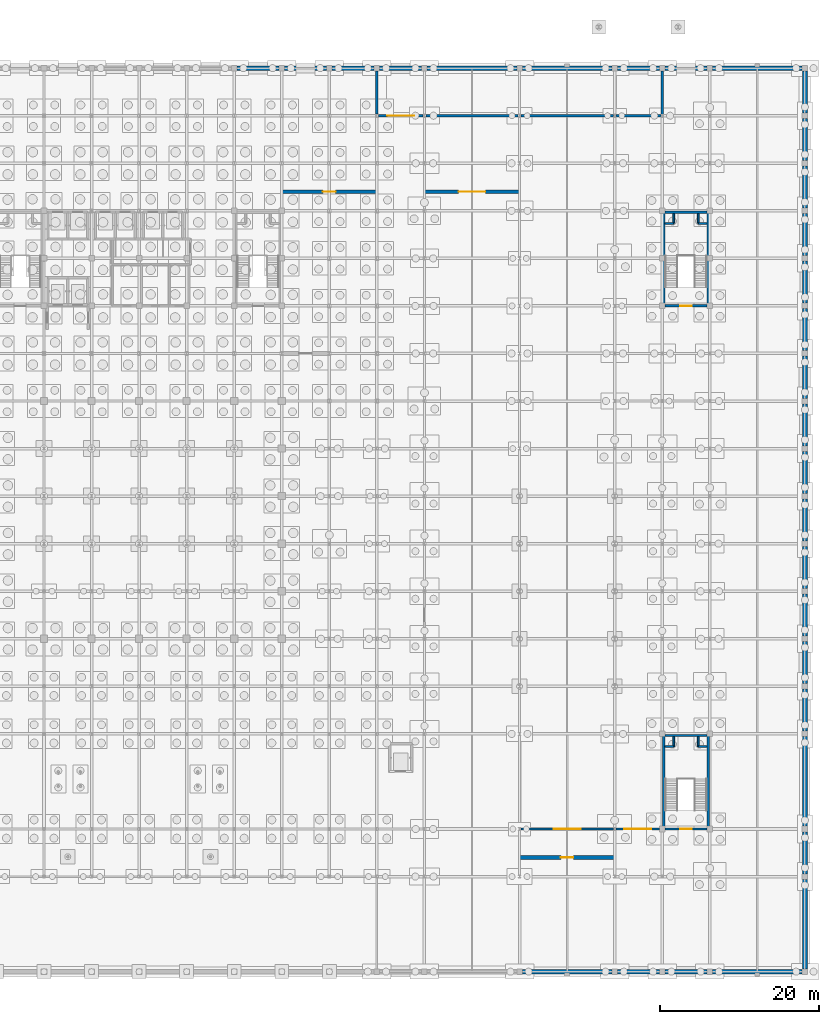
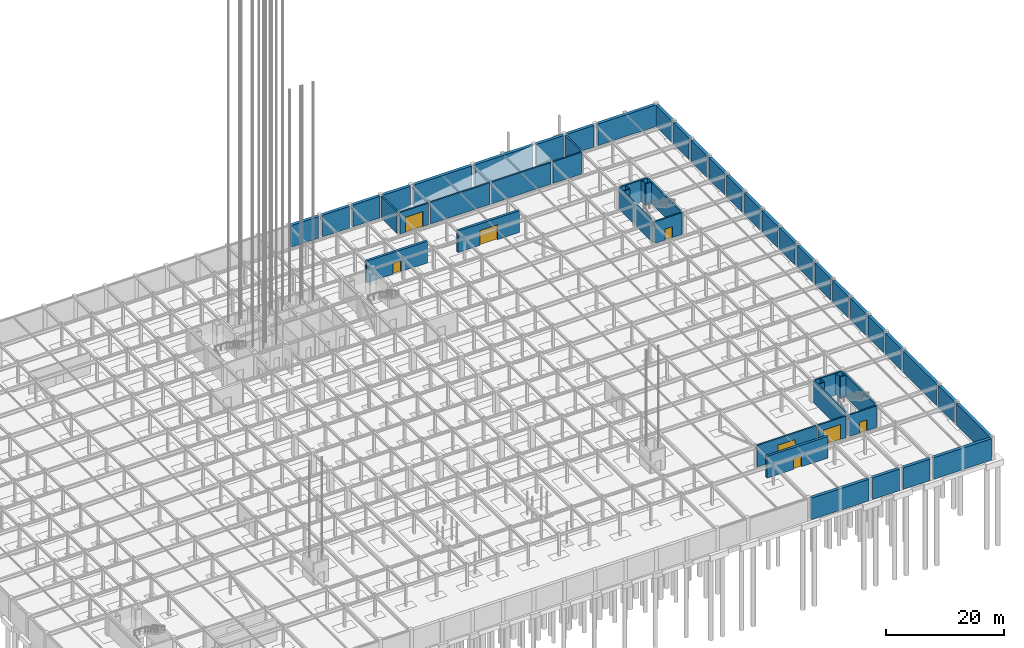
# One storey, part 48 of 69: 57 walls, 8 doors, 8 openings.
"""IFC4 building model written with IfcOpenShell, lengths in metres."""

from ifc_helpers import new_model, si_unit, direction, frame, frame_2d, origin, place, context, subcontext, project, spatial, rectangle, extrude, material, layer, layer_set, type_object, element, fill, save


model = new_model("IFC4")

# Units and contexts
model_context = context("Model", 3, precision=1e-05, world=origin(), true_north=direction((0.0, 1.0)))
body_context = subcontext(model_context, "Body", "Model", "MODEL_VIEW")
ifc_project = project(units=[si_unit("LENGTHUNIT", "METRE"), si_unit("AREAUNIT", "SQUARE_METRE"), si_unit("VOLUMEUNIT", "CUBIC_METRE"), si_unit("PLANEANGLEUNIT", "RADIAN"), si_unit("MASSUNIT", "GRAM", prefix="KILO")], contexts=[model_context])

# Site, building, storey
site_placement = place(None, origin())
site = spatial("IfcSite", under=ifc_project, at=site_placement, CompositionType="ELEMENT")
building_placement = place(site_placement, origin())
building = spatial("IfcBuilding", under=site, at=building_placement, Name="Zlatovratsky Civic Hall", CompositionType="ELEMENT")
storey_placement = place(building_placement, frame((0.0, 0.0, -4.800048828125)))
storey = spatial("IfcBuildingStorey", under=building, at=storey_placement, Name="B1", CompositionType="ELEMENT", Elevation=-4.800048828125)

# Wall, opening, door
ifc_material_1 = material(Name="Concrete C35/45 (B40)", Category="concrete")
ifc_layer_1 = layer(ifc_material_1, 0.47998046875)
ifc_layer_set_1 = layer_set([ifc_layer_1], Name="Concrete C35/45 (B40)")
wall_type_1 = type_object("IfcWallType", Name="Wall_LowerCoreShear_480", PredefinedType="SHEAR", material=ifc_layer_set_1)
wall_1_placement = place(storey_placement, frame((132.0, 14.39990234375, 0.0), z_axis=(0.0, 0.0, 1.0), x_axis=(1.0, 0.0, 0.0)))
wall_1 = element("IfcWall", 1, at=wall_1_placement, inside=storey, type_object=wall_type_1, Name="WL-6043", PredefinedType="SHEAR", context=body_context, shape_type="SweptSolid", body=[
    extrude(rectangle(XDim=12.0, YDim=0.47998046875, at=frame_2d((6.0, 0.0))), origin(), (0.0, 0.0, 1.0), 4.47998046875),
])
opening_1_placement = place(wall_1_placement, frame((5.199951171875, 0.0, 0.0)))
opening_1 = element("IfcOpeningElement", 2, at=opening_1_placement, cuts=wall_1, Name="Opening D-29", PredefinedType="OPENING", context=body_context, shape_type="SweptSolid", body=[
    extrude(rectangle(XDim=1.60009765625, YDim=2.25, at=frame_2d((0.800048828125, 1.125))), frame((0.0, 0.2548828125, 0.0), z_axis=(0.0, -1.0, 0.0), x_axis=(1.0, 0.0, 0.0)), (0.0, 0.0, 1.0), 0.509765625),
])
ifc_material_2 = material(Name="Insulated painted fire-rated steel leaf", Category="steel")
door_type_1 = type_object("IfcDoorType", Name="Door_PlantRoomDouble_1600x2250", OperationType="DOUBLE_DOOR_SINGLE_SWING", PredefinedType="DOOR", material=ifc_material_2)
door_1_placement = place(opening_1_placement, origin())
door_1 = element("IfcDoor", 3, at=door_1_placement, inside=storey, type_object=door_type_1, Name="DR-5212", OperationType="DOUBLE_DOOR_SINGLE_SWING", OverallHeight=2.25, OverallWidth=1.60009765625, PredefinedType="DOOR", context=body_context, shape_type="SweptSolid", body=[
    extrude(rectangle(XDim=1.60009765625, YDim=2.25, at=frame_2d((0.800048828125, 1.125))), frame((0.0, 0.02490234375, 0.0), z_axis=(0.0, -1.0, 0.0), x_axis=(1.0, 0.0, 0.0)), (0.0, 0.0, 1.0), 0.050048828125),
])
fill(opening_1, door_1)

wall_2_placement = place(storey_placement, frame((102.0, 98.39990234375, 0.0), z_axis=(0.0, 0.0, 1.0), x_axis=(1.0, 0.0, 0.0)))
wall_2 = element("IfcWall", 4, at=wall_2_placement, inside=storey, type_object=wall_type_1, Name="WL-6049", PredefinedType="SHEAR", context=body_context, shape_type="SweptSolid", body=[
    extrude(rectangle(XDim=12.0, YDim=0.47998046875, at=frame_2d((6.0, 0.0))), origin(), (0.0, 0.0, 1.0), 4.47998046875),
])
opening_2_placement = place(wall_2_placement, frame((5.199951171875, 0.0, 0.0)))
opening_2 = element("IfcOpeningElement", 5, at=opening_2_placement, cuts=wall_2, Name="Opening D-29", PredefinedType="OPENING", context=body_context, shape_type="SweptSolid", body=[
    extrude(rectangle(XDim=1.60009765625, YDim=2.25, at=frame_2d((0.800048828125, 1.125))), frame((0.0, 0.2548828125, 0.0), z_axis=(0.0, -1.0, 0.0), x_axis=(1.0, 0.0, 0.0)), (0.0, 0.0, 1.0), 0.509765625),
])
door_2_placement = place(opening_2_placement, origin())
door_2 = element("IfcDoor", 6, at=door_2_placement, inside=storey, type_object=door_type_1, Name="DR-5218", OperationType="DOUBLE_DOOR_SINGLE_SWING", OverallHeight=2.25, OverallWidth=1.60009765625, PredefinedType="DOOR", context=body_context, shape_type="SweptSolid", body=[
    extrude(rectangle(XDim=1.60009765625, YDim=2.25, at=frame_2d((0.800048828125, 1.125))), frame((0.0, 0.02490234375, 0.0), z_axis=(0.0, -1.0, 0.0), x_axis=(1.0, 0.0, 0.0)), (0.0, 0.0, 1.0), 0.050048828125),
])
fill(opening_2, door_2)

wall_3_placement = place(storey_placement, frame((120.0, 98.39990234375, 0.0), z_axis=(0.0, 0.0, 1.0), x_axis=(1.0, 0.0, 0.0)))
wall_3 = element("IfcWall", 7, at=wall_3_placement, inside=storey, type_object=wall_type_1, Name="WL-6050", PredefinedType="SHEAR", context=body_context, shape_type="SweptSolid", body=[
    extrude(rectangle(XDim=12.0, YDim=0.47998046875, at=frame_2d((6.0, 0.0))), origin(), (0.0, 0.0, 1.0), 4.47998046875),
])
opening_3_placement = place(wall_3_placement, frame((4.300048828125, 0.0, 0.0)))
opening_3 = element("IfcOpeningElement", 8, at=opening_3_placement, cuts=wall_3, Name="Opening G-02", PredefinedType="OPENING", context=body_context, shape_type="SweptSolid", body=[
    extrude(rectangle(XDim=3.39990234375, YDim=3.10009765625, at=frame_2d((1.699951171875, 1.550048828125))), frame((0.0, 0.2548828125, 0.0), z_axis=(0.0, -1.0, 0.0), x_axis=(1.0, 0.0, 0.0)), (0.0, 0.0, 1.0), 0.509765625),
])
ifc_material_3 = material(Name="Galvanised insulated roller shutter")
door_type_2 = type_object("IfcDoorType", Name="Gate_BasementRampShutter_3400x3100", OperationType="ROLLINGUP", PredefinedType="GATE", material=ifc_material_3)
door_3_placement = place(opening_3_placement, origin())
door_3 = element("IfcDoor", 9, at=door_3_placement, inside=storey, type_object=door_type_2, Name="DR-5219", OperationType="ROLLINGUP", OverallHeight=3.10009765625, OverallWidth=3.39990234375, PredefinedType="GATE", context=body_context, shape_type="SweptSolid", body=[
    extrude(rectangle(XDim=3.39990234375, YDim=3.10009765625, at=frame_2d((1.699951171875, 1.550048828125))), frame((0.0, 0.02490234375, 0.0), z_axis=(0.0, -1.0, 0.0), x_axis=(1.0, 0.0, 0.0)), (0.0, 0.0, 1.0), 0.050048828125),
])
fill(opening_3, door_3)

# Walls
ifc_material_4 = material(Name="Acoustic ceramic blockwork", Category="masonry")
ifc_layer_2 = layer(ifc_material_4, 0.219970703125)
ifc_layer_set_2 = layer_set([ifc_layer_2], Name="Acoustic ceramic blockwork")
wall_type_2 = type_object("IfcWallType", Name="Wall_SanitaryWetCore_220", PredefinedType="PARTITIONING", material=ifc_layer_set_2)
wall_4_placement = place(storey_placement, frame((151.449951171875, 28.39990234375, 0.0), z_axis=(0.0, 0.0, 1.0), x_axis=(0.0, 1.0, 0.0)))
element("IfcWall", 10, at=wall_4_placement, inside=storey, type_object=wall_type_2, Name="WL-5353", PredefinedType="PARTITIONING", context=body_context, shape_type="SweptSolid", body=[
    extrude(rectangle(XDim=1.25, YDim=0.219970703125, at=frame_2d((0.625, 0.0))), origin(), (0.0, 0.0, 1.0), 4.47998046875),
])
wall_5_placement = place(storey_placement, frame((150.35009765625, 28.39990234375, 0.0), z_axis=(0.0, 0.0, 1.0), x_axis=(1.0, 0.0, 0.0)))
element("IfcWall", 11, at=wall_5_placement, inside=storey, type_object=wall_type_2, Name="WL-5354", PredefinedType="PARTITIONING", context=body_context, shape_type="SweptSolid", body=[
    extrude(rectangle(XDim=1.099853515625, YDim=0.219970703125, at=frame_2d((0.5498046875, 0.0))), origin(), (0.0, 0.0, 1.0), 4.47998046875),
])
wall_6_placement = place(storey_placement, frame((154.550048828125, 28.39990234375, 0.0), z_axis=(0.0, 0.0, 1.0), x_axis=(0.0, 1.0, 0.0)))
element("IfcWall", 12, at=wall_6_placement, inside=storey, type_object=wall_type_2, Name="WL-5355", PredefinedType="PARTITIONING", context=body_context, shape_type="SweptSolid", body=[
    extrude(rectangle(XDim=1.25, YDim=0.219970703125, at=frame_2d((0.625, 0.0))), origin(), (0.0, 0.0, 1.0), 4.47998046875),
])
wall_7_placement = place(storey_placement, frame((154.550048828125, 28.39990234375, 0.0), z_axis=(0.0, 0.0, 1.0), x_axis=(1.0, 0.0, 0.0)))
element("IfcWall", 13, at=wall_7_placement, inside=storey, type_object=wall_type_2, Name="WL-5356", PredefinedType="PARTITIONING", context=body_context, shape_type="SweptSolid", body=[
    extrude(rectangle(XDim=1.099853515625, YDim=0.219970703125, at=frame_2d((0.5498046875, 0.0))), origin(), (0.0, 0.0, 1.0), 4.47998046875),
])
wall_8_placement = place(storey_placement, frame((151.449951171875, 94.39990234375, 0.0), z_axis=(0.0, 0.0, 1.0), x_axis=(0.0, 1.0, 0.0)))
element("IfcWall", 14, at=wall_8_placement, inside=storey, type_object=wall_type_2, Name="WL-5433", PredefinedType="PARTITIONING", context=body_context, shape_type="SweptSolid", body=[
    extrude(rectangle(XDim=1.25, YDim=0.219970703125, at=frame_2d((0.625, 0.0))), origin(), (0.0, 0.0, 1.0), 4.47998046875),
])
wall_9_placement = place(storey_placement, frame((150.35009765625, 94.39990234375, 0.0), z_axis=(0.0, 0.0, 1.0), x_axis=(1.0, 0.0, 0.0)))
element("IfcWall", 15, at=wall_9_placement, inside=storey, type_object=wall_type_2, Name="WL-5434", PredefinedType="PARTITIONING", context=body_context, shape_type="SweptSolid", body=[
    extrude(rectangle(XDim=1.099853515625, YDim=0.219970703125, at=frame_2d((0.5498046875, 0.0))), origin(), (0.0, 0.0, 1.0), 4.47998046875),
])
wall_10_placement = place(storey_placement, frame((154.550048828125, 94.39990234375, 0.0), z_axis=(0.0, 0.0, 1.0), x_axis=(0.0, 1.0, 0.0)))
element("IfcWall", 16, at=wall_10_placement, inside=storey, type_object=wall_type_2, Name="WL-5435", PredefinedType="PARTITIONING", context=body_context, shape_type="SweptSolid", body=[
    extrude(rectangle(XDim=1.25, YDim=0.219970703125, at=frame_2d((0.625, 0.0))), origin(), (0.0, 0.0, 1.0), 4.47998046875),
])
wall_11_placement = place(storey_placement, frame((154.550048828125, 94.39990234375, 0.0), z_axis=(0.0, 0.0, 1.0), x_axis=(1.0, 0.0, 0.0)))
element("IfcWall", 17, at=wall_11_placement, inside=storey, type_object=wall_type_2, Name="WL-5436", PredefinedType="PARTITIONING", context=body_context, shape_type="SweptSolid", body=[
    extrude(rectangle(XDim=1.099853515625, YDim=0.219970703125, at=frame_2d((0.5498046875, 0.0))), origin(), (0.0, 0.0, 1.0), 4.47998046875),
])

# Wall, opening, door
ifc_layer_3 = layer(ifc_material_1, 0.300048828125)
ifc_layer_set_3 = layer_set([ifc_layer_3], Name="Concrete C35/45 (B40)")
wall_type_3 = type_object("IfcWallType", Name="Wall_StairAndLiftShaft_300", PredefinedType="SHEAR", material=ifc_layer_set_3)
wall_12_placement = place(storey_placement, frame((132.175048828125, 18.0, 0.0), z_axis=(0.0, 0.0, 1.0), x_axis=(1.0, 0.0, 0.0)))
wall_12 = element("IfcWall", 18, at=wall_12_placement, inside=storey, type_object=wall_type_3, Name="WL-0080", PredefinedType="SHEAR", context=body_context, shape_type="SweptSolid", body=[
    extrude(rectangle(XDim=11.64990234375, YDim=0.300048828125, at=frame_2d((5.824951171875, 0.0))), origin(), (0.0, 0.0, 1.0), 4.47998046875),
])
opening_4_placement = place(wall_12_placement, frame((4.125, 0.0, 0.0)))
opening_4 = element("IfcOpeningElement", 19, at=opening_4_placement, cuts=wall_12, Name="Opening G-02", PredefinedType="OPENING", context=body_context, shape_type="SweptSolid", body=[
    extrude(rectangle(XDim=3.39990234375, YDim=3.10009765625, at=frame_2d((1.699951171875, 1.550048828125))), frame((0.0, 0.1650390625, 0.0), z_axis=(0.0, -1.0, 0.0), x_axis=(1.0, 0.0, 0.0)), (0.0, 0.0, 1.0), 0.329833984375),
])
door_4_placement = place(opening_4_placement, origin())
door_4 = element("IfcDoor", 20, at=door_4_placement, inside=storey, type_object=door_type_2, Name="DR-0002", OperationType="ROLLINGUP", OverallHeight=3.10009765625, OverallWidth=3.39990234375, PredefinedType="GATE", context=body_context, shape_type="SweptSolid", body=[
    extrude(rectangle(XDim=3.39990234375, YDim=3.10009765625, at=frame_2d((1.699951171875, 1.550048828125))), frame((0.0, 0.02490234375, 0.0), z_axis=(0.0, -1.0, 0.0), x_axis=(1.0, 0.0, 0.0)), (0.0, 0.0, 1.0), 0.050048828125),
])
fill(opening_4, door_4)

wall_13_placement = place(storey_placement, frame((144.175048828125, 18.0, 0.0), z_axis=(0.0, 0.0, 1.0), x_axis=(1.0, 0.0, 0.0)))
wall_13 = element("IfcWall", 21, at=wall_13_placement, inside=storey, type_object=wall_type_3, Name="WL-0081", PredefinedType="SHEAR", context=body_context, shape_type="SweptSolid", body=[
    extrude(rectangle(XDim=5.474853515625, YDim=0.300048828125, at=frame_2d((2.7373046875, 0.0))), origin(), (0.0, 0.0, 1.0), 4.47998046875),
])
opening_5_placement = place(wall_13_placement, frame((1.037109375, 0.0, 0.0)))
opening_5 = element("IfcOpeningElement", 22, at=opening_5_placement, cuts=wall_13, Name="Opening G-02", PredefinedType="OPENING", context=body_context, shape_type="SweptSolid", body=[
    extrude(rectangle(XDim=3.39990234375, YDim=3.10009765625, at=frame_2d((1.699951171875, 1.550048828125))), frame((0.0, 0.1650390625, 0.0), z_axis=(0.0, -1.0, 0.0), x_axis=(1.0, 0.0, 0.0)), (0.0, 0.0, 1.0), 0.329833984375),
])
door_5_placement = place(opening_5_placement, origin())
door_5 = element("IfcDoor", 23, at=door_5_placement, inside=storey, type_object=door_type_2, Name="DR-0003", OperationType="ROLLINGUP", OverallHeight=3.10009765625, OverallWidth=3.39990234375, PredefinedType="GATE", context=body_context, shape_type="SweptSolid", body=[
    extrude(rectangle(XDim=3.39990234375, YDim=3.10009765625, at=frame_2d((1.699951171875, 1.550048828125))), frame((0.0, 0.02490234375, 0.0), z_axis=(0.0, -1.0, 0.0), x_axis=(1.0, 0.0, 0.0)), (0.0, 0.0, 1.0), 0.050048828125),
])
fill(opening_5, door_5)

wall_14_placement = place(storey_placement, frame((114.20458984375, 108.0, 0.0), z_axis=(0.0, 0.0, 1.0), x_axis=(1.0, 0.0, 0.0)))
wall_14 = element("IfcWall", 24, at=wall_14_placement, inside=storey, type_object=wall_type_3, Name="WL-0714", PredefinedType="SHEAR", context=body_context, shape_type="SweptSolid", body=[
    extrude(rectangle(XDim=5.620361328125, YDim=0.300048828125, at=frame_2d((2.81005859375, 0.0))), origin(), (0.0, 0.0, 1.0), 4.47998046875),
])
opening_6_placement = place(wall_14_placement, frame((1.110107421875, 0.0, 0.0)))
opening_6 = element("IfcOpeningElement", 25, at=opening_6_placement, cuts=wall_14, Name="Opening G-02", PredefinedType="OPENING", context=body_context, shape_type="SweptSolid", body=[
    extrude(rectangle(XDim=3.39990234375, YDim=3.10009765625, at=frame_2d((1.699951171875, 1.550048828125))), frame((0.0, 0.1650390625, 0.0), z_axis=(0.0, -1.0, 0.0), x_axis=(1.0, 0.0, 0.0)), (0.0, 0.0, 1.0), 0.329833984375),
])
door_6_placement = place(opening_6_placement, origin())
door_6 = element("IfcDoor", 26, at=door_6_placement, inside=storey, type_object=door_type_2, Name="DR-0030", OperationType="ROLLINGUP", OverallHeight=3.10009765625, OverallWidth=3.39990234375, PredefinedType="GATE", context=body_context, shape_type="SweptSolid", body=[
    extrude(rectangle(XDim=3.39990234375, YDim=3.10009765625, at=frame_2d((1.699951171875, 1.550048828125))), frame((0.0, 0.02490234375, 0.0), z_axis=(0.0, -1.0, 0.0), x_axis=(1.0, 0.0, 0.0)), (0.0, 0.0, 1.0), 0.050048828125),
])
fill(opening_6, door_6)

# Walls
for number, where, z_axis, x_axis, name in (
    (27, (120.175048828125, 108.0, 0.0), (0.0, 0.0, 1.0), (1.0, 0.0, 0.0), "WL-0715"),
    (28, (132.175048828125, 108.0, 0.0), (0.0, 0.0, 1.0), (1.0, 0.0, 0.0), "WL-0716"),
):
    element("IfcWall", number, at=place(storey_placement, frame(where, z_axis=z_axis, x_axis=x_axis)), inside=storey, type_object=wall_type_3, Name=name, PredefinedType="SHEAR", context=body_context, shape_type="SweptSolid", body=[
        extrude(rectangle(XDim=11.64990234375, YDim=0.300048828125, at=frame_2d((5.824951171875, 0.0))), origin(), (0.0, 0.0, 1.0), 4.47998046875),
    ])
wall_15_placement = place(storey_placement, frame((144.175048828125, 108.0, 0.0), z_axis=(0.0, 0.0, 1.0), x_axis=(1.0, 0.0, 0.0)))
element("IfcWall", 29, at=wall_15_placement, inside=storey, type_object=wall_type_3, Name="WL-0717", PredefinedType="SHEAR", context=body_context, shape_type="SweptSolid", body=[
    extrude(rectangle(XDim=5.64990234375, YDim=0.300048828125, at=frame_2d((2.824951171875, 0.0))), origin(), (0.0, 0.0, 1.0), 4.47998046875),
])
wall_16_placement = place(storey_placement, frame((114.0, 108.214599609375, 0.0), z_axis=(0.0, 0.0, 1.0), x_axis=(0.0, 1.0, 0.0)))
element("IfcWall", 30, at=wall_16_placement, inside=storey, type_object=wall_type_3, Name="WL-0718", PredefinedType="SHEAR", context=body_context, shape_type="SweptSolid", body=[
    extrude(rectangle(XDim=5.435302734375, YDim=0.300048828125, at=frame_2d((2.7177734375, 0.0))), origin(), (0.0, 0.0, 1.0), 4.47998046875),
])
wall_17_placement = place(storey_placement, frame((150.0, 108.175048828125, 0.0), z_axis=(0.0, 0.0, 1.0), x_axis=(0.0, 1.0, 0.0)))
element("IfcWall", 31, at=wall_17_placement, inside=storey, type_object=wall_type_3, Name="WL-0719", PredefinedType="SHEAR", context=body_context, shape_type="SweptSolid", body=[
    extrude(rectangle(XDim=5.474853515625, YDim=0.300048828125, at=frame_2d((2.7373046875, 0.0))), origin(), (0.0, 0.0, 1.0), 4.47998046875),
])

# Wall, opening, door
wall_18_placement = place(storey_placement, frame((150.35009765625, 18.0, 0.0), z_axis=(0.0, 0.0, 1.0), x_axis=(1.0, 0.0, 0.0)))
wall_18 = element("IfcWall", 32, at=wall_18_placement, inside=storey, type_object=wall_type_3, Name="WL-5349", PredefinedType="SHEAR", context=body_context, shape_type="SweptSolid", body=[
    extrude(rectangle(XDim=5.2998046875, YDim=0.300048828125, at=frame_2d((2.64990234375, 0.0))), origin(), (0.0, 0.0, 1.0), 4.47998046875),
])
opening_7_placement = place(wall_18_placement, frame((1.925048828125, 0.0, 0.0)))
opening_7 = element("IfcOpeningElement", 33, at=opening_7_placement, cuts=wall_18, Name="Opening D-16", PredefinedType="OPENING", context=body_context, shape_type="SweptSolid", body=[
    extrude(rectangle(XDim=1.449951171875, YDim=2.25, at=frame_2d((0.72509765625, 1.125))), frame((0.0, 0.1650390625, 0.0), z_axis=(0.0, -1.0, 0.0), x_axis=(1.0, 0.0, 0.0)), (0.0, 0.0, 1.0), 0.329833984375),
])
door_type_3 = type_object("IfcDoorType", Name="Door_StairwellFirePodium_1450x2250", OperationType="NOTDEFINED", PredefinedType="DOOR", material=ifc_material_2)
door_7_placement = place(opening_7_placement, origin())
door_7 = element("IfcDoor", 34, at=door_7_placement, inside=storey, type_object=door_type_3, Name="DR-5044", OperationType="SINGLE_SWING_LEFT", OverallHeight=2.25, OverallWidth=1.449951171875, PredefinedType="DOOR", context=body_context, shape_type="SweptSolid", body=[
    extrude(rectangle(XDim=1.449951171875, YDim=2.25, at=frame_2d((0.72509765625, 1.125))), frame((0.0, 0.02490234375, 0.0), z_axis=(0.0, -1.0, 0.0), x_axis=(1.0, 0.0, 0.0)), (0.0, 0.0, 1.0), 0.050048828125),
])
fill(opening_7, door_7)

# Walls
wall_19_placement = place(storey_placement, frame((150.35009765625, 29.800048828125, 0.0), z_axis=(0.0, 0.0, 1.0), x_axis=(1.0, 0.0, 0.0)))
element("IfcWall", 35, at=wall_19_placement, inside=storey, type_object=wall_type_3, Name="WL-5350", PredefinedType="SHEAR", context=body_context, shape_type="SweptSolid", body=[
    extrude(rectangle(XDim=5.2998046875, YDim=0.300048828125, at=frame_2d((2.64990234375, 0.0))), origin(), (0.0, 0.0, 1.0), 4.47998046875),
])
for number, where, z_axis, x_axis, name in (
    (36, (150.199951171875, 18.0, 0.0), (0.0, 0.0, 1.0), (0.0, 1.0, 0.0), "WL-5351"),
    (37, (155.800048828125, 18.0, 0.0), (0.0, 0.0, 1.0), (0.0, 1.0, 0.0), "WL-5352"),
):
    element("IfcWall", number, at=place(storey_placement, frame(where, z_axis=z_axis, x_axis=x_axis)), inside=storey, type_object=wall_type_3, Name=name, PredefinedType="SHEAR", context=body_context, shape_type="SweptSolid", body=[
        extrude(rectangle(XDim=11.800048828125, YDim=0.300048828125, at=frame_2d((5.89990234375, 0.0))), origin(), (0.0, 0.0, 1.0), 4.47998046875),
    ])

# Wall, opening, door
wall_20_placement = place(storey_placement, frame((150.35009765625, 84.0, 0.0), z_axis=(0.0, 0.0, 1.0), x_axis=(1.0, 0.0, 0.0)))
wall_20 = element("IfcWall", 38, at=wall_20_placement, inside=storey, type_object=wall_type_3, Name="WL-5429", PredefinedType="SHEAR", context=body_context, shape_type="SweptSolid", body=[
    extrude(rectangle(XDim=5.2998046875, YDim=0.300048828125, at=frame_2d((2.64990234375, 0.0))), origin(), (0.0, 0.0, 1.0), 4.47998046875),
])
opening_8_placement = place(wall_20_placement, frame((1.925048828125, 0.0, 0.0)))
opening_8 = element("IfcOpeningElement", 39, at=opening_8_placement, cuts=wall_20, Name="Opening D-16", PredefinedType="OPENING", context=body_context, shape_type="SweptSolid", body=[
    extrude(rectangle(XDim=1.449951171875, YDim=2.25, at=frame_2d((0.72509765625, 1.125))), frame((0.0, 0.1650390625, 0.0), z_axis=(0.0, -1.0, 0.0), x_axis=(1.0, 0.0, 0.0)), (0.0, 0.0, 1.0), 0.329833984375),
])
door_8_placement = place(opening_8_placement, origin())
door_8 = element("IfcDoor", 40, at=door_8_placement, inside=storey, type_object=door_type_3, Name="DR-5054", OperationType="SINGLE_SWING_LEFT", OverallHeight=2.25, OverallWidth=1.449951171875, PredefinedType="DOOR", context=body_context, shape_type="SweptSolid", body=[
    extrude(rectangle(XDim=1.449951171875, YDim=2.25, at=frame_2d((0.72509765625, 1.125))), frame((0.0, 0.02490234375, 0.0), z_axis=(0.0, -1.0, 0.0), x_axis=(1.0, 0.0, 0.0)), (0.0, 0.0, 1.0), 0.050048828125),
])
fill(opening_8, door_8)

# Walls
wall_21_placement = place(storey_placement, frame((150.35009765625, 95.800048828125, 0.0), z_axis=(0.0, 0.0, 1.0), x_axis=(1.0, 0.0, 0.0)))
element("IfcWall", 41, at=wall_21_placement, inside=storey, type_object=wall_type_3, Name="WL-5430", PredefinedType="SHEAR", context=body_context, shape_type="SweptSolid", body=[
    extrude(rectangle(XDim=5.2998046875, YDim=0.300048828125, at=frame_2d((2.64990234375, 0.0))), origin(), (0.0, 0.0, 1.0), 4.47998046875),
])
for number, where, z_axis, x_axis, name in (
    (42, (150.199951171875, 84.0, 0.0), (0.0, 0.0, 1.0), (0.0, 1.0, 0.0), "WL-5431"),
    (43, (155.800048828125, 84.0, 0.0), (0.0, 0.0, 1.0), (0.0, 1.0, 0.0), "WL-5432"),
):
    element("IfcWall", number, at=place(storey_placement, frame(where, z_axis=z_axis, x_axis=x_axis)), inside=storey, type_object=wall_type_3, Name=name, PredefinedType="SHEAR", context=body_context, shape_type="SweptSolid", body=[
        extrude(rectangle(XDim=11.800048828125, YDim=0.300048828125, at=frame_2d((5.89990234375, 0.0))), origin(), (0.0, 0.0, 1.0), 4.47998046875),
    ])
ifc_layer_4 = layer(ifc_material_1, 0.60009765625)
ifc_layer_set_4 = layer_set([ifc_layer_4], Name="Concrete C35/45 (B40)")
wall_type_4 = type_object("IfcWallType", Name="Wall_SubstructureRetaining_600", PredefinedType="SHEAR", material=ifc_layer_set_4)
wall_22_placement = place(storey_placement, frame((132.35009765625, 0.0, 0.0), z_axis=(0.0, 0.0, 1.0), x_axis=(1.0, 0.0, 0.0)))
element("IfcWall", 44, at=wall_22_placement, inside=storey, type_object=wall_type_4, Name="WL-0019", PredefinedType="SHEAR", context=body_context, shape_type="SweptSolid", body=[
    extrude(rectangle(XDim=11.2998046875, YDim=0.60009765625, at=frame_2d((5.64990234375, 0.0))), origin(), (0.0, 0.0, 1.0), 4.47998046875),
])
for number, where, z_axis, x_axis, name in (
    (45, (144.35009765625, 0.0, 0.0), (0.0, 0.0, 1.0), (1.0, 0.0, 0.0), "WL-0020"),
    (46, (150.35009765625, 0.0, 0.0), (0.0, 0.0, 1.0), (1.0, 0.0, 0.0), "WL-0021"),
):
    element("IfcWall", number, at=place(storey_placement, frame(where, z_axis=z_axis, x_axis=x_axis)), inside=storey, type_object=wall_type_4, Name=name, PredefinedType="SHEAR", context=body_context, shape_type="SweptSolid", body=[
        extrude(rectangle(XDim=5.2998046875, YDim=0.60009765625, at=frame_2d((2.64990234375, 0.0))), origin(), (0.0, 0.0, 1.0), 4.47998046875),
    ])
wall_23_placement = place(storey_placement, frame((156.35009765625, 0.0, 0.0), z_axis=(0.0, 0.0, 1.0), x_axis=(1.0, 0.0, 0.0)))
element("IfcWall", 47, at=wall_23_placement, inside=storey, type_object=wall_type_4, Name="WL-0022", PredefinedType="SHEAR", context=body_context, shape_type="SweptSolid", body=[
    extrude(rectangle(XDim=11.2998046875, YDim=0.60009765625, at=frame_2d((5.64990234375, 0.0))), origin(), (0.0, 0.0, 1.0), 4.47998046875),
])
for number, where, z_axis, x_axis, name in (
    (48, (96.35009765625, 114.0, 0.0), (0.0, 0.0, 1.0), (1.0, 0.0, 0.0), "WL-0036"),
    (49, (102.35009765625, 114.0, 0.0), (0.0, 0.0, 1.0), (1.0, 0.0, 0.0), "WL-0037"),
    (50, (108.35009765625, 114.0, 0.0), (0.0, 0.0, 1.0), (1.0, 0.0, 0.0), "WL-0038"),
    (51, (114.35009765625, 114.0, 0.0), (0.0, 0.0, 1.0), (1.0, 0.0, 0.0), "WL-0039"),
):
    element("IfcWall", number, at=place(storey_placement, frame(where, z_axis=z_axis, x_axis=x_axis)), inside=storey, type_object=wall_type_4, Name=name, PredefinedType="SHEAR", context=body_context, shape_type="SweptSolid", body=[
        extrude(rectangle(XDim=5.2998046875, YDim=0.60009765625, at=frame_2d((2.64990234375, 0.0))), origin(), (0.0, 0.0, 1.0), 4.47998046875),
    ])
for number, where, z_axis, x_axis, name in (
    (52, (120.35009765625, 114.0, 0.0), (0.0, 0.0, 1.0), (1.0, 0.0, 0.0), "WL-0040"),
    (53, (132.35009765625, 114.0, 0.0), (0.0, 0.0, 1.0), (1.0, 0.0, 0.0), "WL-0041"),
):
    element("IfcWall", number, at=place(storey_placement, frame(where, z_axis=z_axis, x_axis=x_axis)), inside=storey, type_object=wall_type_4, Name=name, PredefinedType="SHEAR", context=body_context, shape_type="SweptSolid", body=[
        extrude(rectangle(XDim=11.2998046875, YDim=0.60009765625, at=frame_2d((5.64990234375, 0.0))), origin(), (0.0, 0.0, 1.0), 4.47998046875),
    ])
for number, where, z_axis, x_axis, name in (
    (54, (144.35009765625, 114.0, 0.0), (0.0, 0.0, 1.0), (1.0, 0.0, 0.0), "WL-0042"),
    (55, (150.35009765625, 114.0, 0.0), (0.0, 0.0, 1.0), (1.0, 0.0, 0.0), "WL-0043"),
):
    element("IfcWall", number, at=place(storey_placement, frame(where, z_axis=z_axis, x_axis=x_axis)), inside=storey, type_object=wall_type_4, Name=name, PredefinedType="SHEAR", context=body_context, shape_type="SweptSolid", body=[
        extrude(rectangle(XDim=5.2998046875, YDim=0.60009765625, at=frame_2d((2.64990234375, 0.0))), origin(), (0.0, 0.0, 1.0), 4.47998046875),
    ])
for number, where, z_axis, x_axis, name in (
    (56, (156.35009765625, 114.0, 0.0), (0.0, 0.0, 1.0), (1.0, 0.0, 0.0), "WL-0044"),
    (57, (168.0, 0.35009765625, 0.0), (0.0, 0.0, 1.0), (0.0, 1.0, 0.0), "WL-0062"),
):
    element("IfcWall", number, at=place(storey_placement, frame(where, z_axis=z_axis, x_axis=x_axis)), inside=storey, type_object=wall_type_4, Name=name, PredefinedType="SHEAR", context=body_context, shape_type="SweptSolid", body=[
        extrude(rectangle(XDim=11.2998046875, YDim=0.60009765625, at=frame_2d((5.64990234375, 0.0))), origin(), (0.0, 0.0, 1.0), 4.47998046875),
    ])
wall_24_placement = place(storey_placement, frame((168.0, 12.35009765625, 0.0), z_axis=(0.0, 0.0, 1.0), x_axis=(0.0, 1.0, 0.0)))
element("IfcWall", 58, at=wall_24_placement, inside=storey, type_object=wall_type_4, Name="WL-0063", PredefinedType="SHEAR", context=body_context, shape_type="SweptSolid", body=[
    extrude(rectangle(XDim=5.2998046875, YDim=0.60009765625, at=frame_2d((2.64990234375, 0.0))), origin(), (0.0, 0.0, 1.0), 4.47998046875),
])
wall_25_placement = place(storey_placement, frame((168.0, 18.35009765625, 0.0), z_axis=(0.0, 0.0, 1.0), x_axis=(0.0, 1.0, 0.0)))
element("IfcWall", 59, at=wall_25_placement, inside=storey, type_object=wall_type_4, Name="WL-0064", PredefinedType="SHEAR", context=body_context, shape_type="SweptSolid", body=[
    extrude(rectangle(XDim=11.2998046875, YDim=0.60009765625, at=frame_2d((5.64990234375, 0.0))), origin(), (0.0, 0.0, 1.0), 4.47998046875),
])
for number, where, z_axis, x_axis, name in (
    (60, (168.0, 30.35009765625, 0.0), (0.0, 0.0, 1.0), (0.0, 1.0, 0.0), "WL-0065"),
    (61, (168.0, 36.35009765625, 0.0), (0.0, 0.0, 1.0), (0.0, 1.0, 0.0), "WL-0066"),
    (62, (168.0, 42.35009765625, 0.0), (0.0, 0.0, 1.0), (0.0, 1.0, 0.0), "WL-0067"),
    (63, (168.0, 48.35009765625, 0.0), (0.0, 0.0, 1.0), (0.0, 1.0, 0.0), "WL-0068"),
    (64, (168.0, 54.35009765625, 0.0), (0.0, 0.0, 1.0), (0.0, 1.0, 0.0), "WL-0069"),
    (65, (168.0, 60.35009765625, 0.0), (0.0, 0.0, 1.0), (0.0, 1.0, 0.0), "WL-0070"),
    (66, (168.0, 66.35009765625, 0.0), (0.0, 0.0, 1.0), (0.0, 1.0, 0.0), "WL-0071"),
    (67, (168.0, 72.35009765625, 0.0), (0.0, 0.0, 1.0), (0.0, 1.0, 0.0), "WL-0072"),
    (68, (168.0, 78.35009765625, 0.0), (0.0, 0.0, 1.0), (0.0, 1.0, 0.0), "WL-0073"),
    (69, (168.0, 84.35009765625, 0.0), (0.0, 0.0, 1.0), (0.0, 1.0, 0.0), "WL-0074"),
    (70, (168.0, 90.35009765625, 0.0), (0.0, 0.0, 1.0), (0.0, 1.0, 0.0), "WL-0075"),
    (71, (168.0, 96.35009765625, 0.0), (0.0, 0.0, 1.0), (0.0, 1.0, 0.0), "WL-0076"),
    (72, (168.0, 102.35009765625, 0.0), (0.0, 0.0, 1.0), (0.0, 1.0, 0.0), "WL-0077"),
    (73, (168.0, 108.35009765625, 0.0), (0.0, 0.0, 1.0), (0.0, 1.0, 0.0), "WL-0078"),
):
    element("IfcWall", number, at=place(storey_placement, frame(where, z_axis=z_axis, x_axis=x_axis)), inside=storey, type_object=wall_type_4, Name=name, PredefinedType="SHEAR", context=body_context, shape_type="SweptSolid", body=[
        extrude(rectangle(XDim=5.2998046875, YDim=0.60009765625, at=frame_2d((2.64990234375, 0.0))), origin(), (0.0, 0.0, 1.0), 4.47998046875),
    ])

save(model, "model.ifc")
